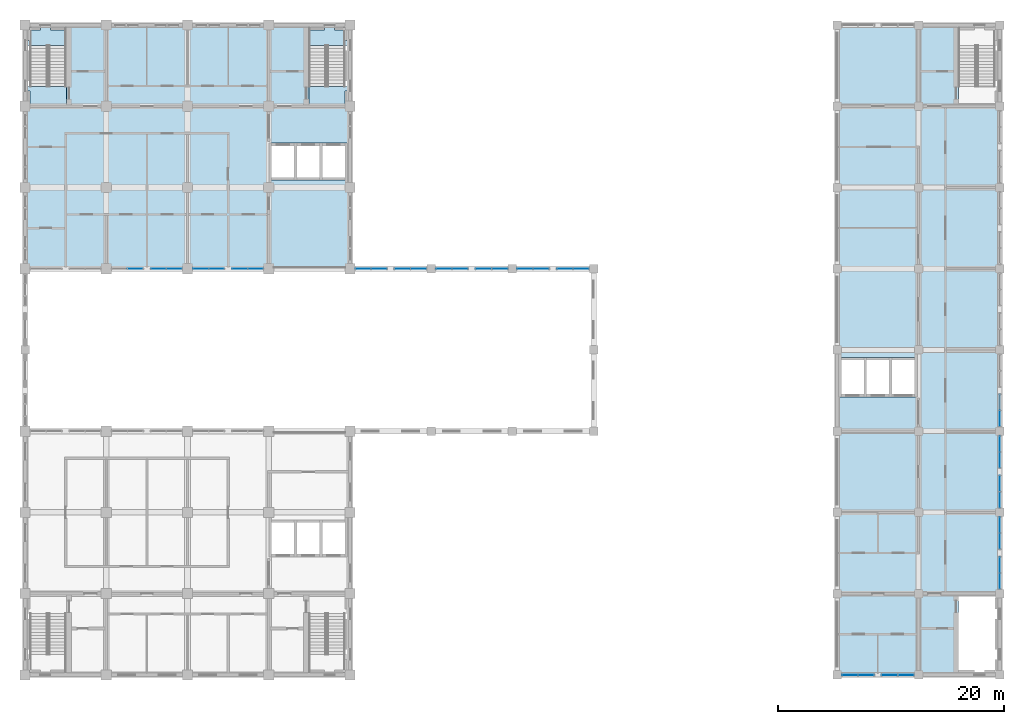
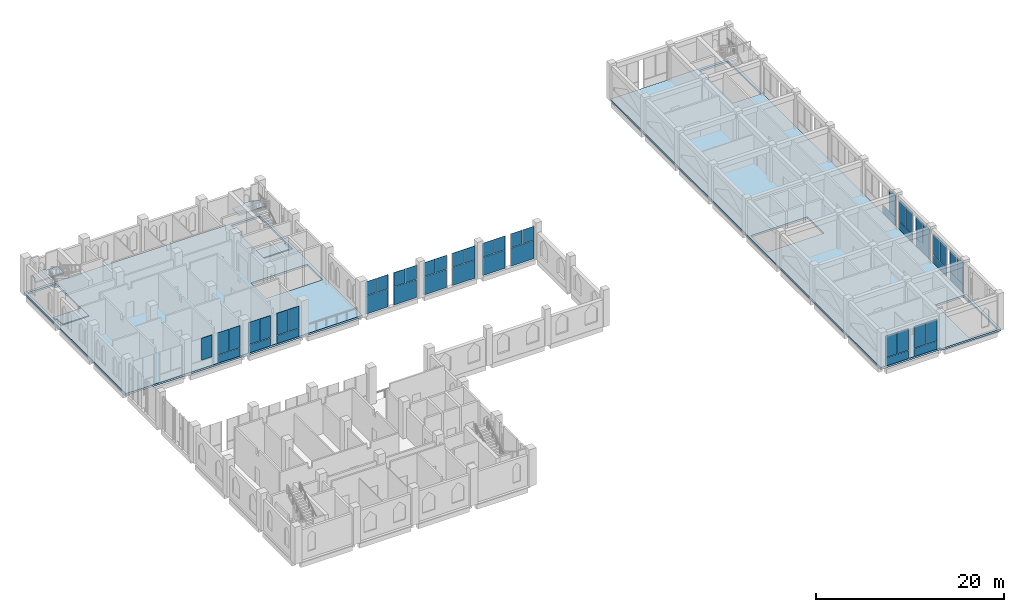
# One storey, part 25 of 39: 48 plates, 6 slabs, 19 elements without a shape of their own.
"""IFC4 building model written with IfcOpenShell, lengths in metres."""

from ifc_helpers import new_model, si_unit, direction, frame, origin, origin_2d, place, context, subcontext, project, spatial, polyline, rectangle, outline, extrude, material, layer, layer_set, type_object, element, aggregate, save


model = new_model("IFC4")

# Units and contexts
model_context = context("Model", 3, precision=1e-05, world=origin(), true_north=direction((0.0, 1.0)))
body_context = subcontext(model_context, "Body", "Model", "MODEL_VIEW")
ifc_project = project(units=[si_unit("LENGTHUNIT", "METRE"), si_unit("AREAUNIT", "SQUARE_METRE"), si_unit("VOLUMEUNIT", "CUBIC_METRE"), si_unit("PLANEANGLEUNIT", "RADIAN"), si_unit("MASSUNIT", "GRAM", prefix="KILO")], contexts=[model_context])

# Site, building, storey
site_placement = place(None, origin())
site = spatial("IfcSite", under=ifc_project, at=site_placement, CompositionType="ELEMENT")
building_placement = place(site_placement, origin())
building = spatial("IfcBuilding", under=site, at=building_placement, Name="Silangan Lancet Faculty of Sciences", CompositionType="ELEMENT")
storey_placement = place(building_placement, frame((0.0, 0.0, 26.39990234375)))
storey = spatial("IfcBuildingStorey", under=building, at=storey_placement, Name="L05", CompositionType="ELEMENT", Elevation=26.39990234375)

# Curtain wall, plates
ifc_material_1 = material(Name="Aluminium framed curtain wall with insulated glass", Category="aluminium")
curtain_wall_type_1 = type_object("IfcCurtainWallType", Name="CW1 Commons and east block glazing", PredefinedType="NOTDEFINED", material=ifc_material_1)
curtain_wall_1_placement = place(storey_placement, origin())
curtain_wall_1 = element("IfcCurtainWall", 1, at=curtain_wall_1_placement, inside=storey, type_object=curtain_wall_type_1, Name="CW1 East commons L05 bay 1", PredefinedType="NOTDEFINED")
ifc_material_2 = material(Name="Insulated glass unit 8+16+8 low-emissivity", Category="glass")
ifc_layer_1 = layer(ifc_material_2, 0.031982421875)
ifc_layer_set_1 = layer_set([ifc_layer_1], Name="Insulated glass unit 8+16+8 low-emissivity")
plate_type_1 = type_object("IfcPlateType", Name="CP1 Panel vision glass 32", PredefinedType="CURTAIN_PANEL", material=ifc_layer_set_1)
plate_1_placement = place(storey_placement, frame((86.39990234375, 8.3212890625, 1.10009765625), z_axis=(0.0, 0.0, 1.0), x_axis=(0.0, 1.0, 0.0)))
plate_1 = element("IfcPlate", 2, at=plate_1_placement, type_object=plate_type_1, Name="CW1 East commons L05 bay 1 panel 2", PredefinedType="CURTAIN_PANEL", context=body_context, shape_type="SweptSolid", body=[
    extrude(rectangle(XDim=1.37255859375, YDim=0.031982421875, at=origin_2d()), origin(), (0.0, 0.0, 1.0), 2.800048828125),
])
plate_2_placement = place(storey_placement, frame((86.39990234375, 9.753662109375, 1.10009765625), z_axis=(0.0, 0.0, 1.0), x_axis=(0.0, 1.0, 0.0)))
plate_2 = element("IfcPlate", 3, at=plate_2_placement, type_object=plate_type_1, Name="CW1 East commons L05 bay 1 panel 3", PredefinedType="CURTAIN_PANEL", context=body_context, shape_type="SweptSolid", body=[
    extrude(rectangle(XDim=1.37255859375, YDim=0.031982421875, at=origin_2d()), origin(), (0.0, 0.0, 1.0), 2.800048828125),
])

curtain_wall_2_placement = place(storey_placement, origin())
curtain_wall_2 = element("IfcCurtainWall", 4, at=curtain_wall_2_placement, inside=storey, type_object=curtain_wall_type_1, Name="CW1 East commons L05 bay 2", PredefinedType="NOTDEFINED")
plate_3_placement = place(storey_placement, frame((86.39990234375, 11.84619140625, 1.10009765625), z_axis=(0.0, 0.0, 1.0), x_axis=(0.0, 1.0, 0.0)))
plate_3 = element("IfcPlate", 5, at=plate_3_placement, type_object=plate_type_1, Name="CW1 East commons L05 bay 2 panel 2", PredefinedType="CURTAIN_PANEL", context=body_context, shape_type="SweptSolid", body=[
    extrude(rectangle(XDim=1.37255859375, YDim=0.031982421875, at=origin_2d()), origin(), (0.0, 0.0, 1.0), 2.800048828125),
])
plate_4_placement = place(storey_placement, frame((86.39990234375, 13.27880859375, 1.10009765625), z_axis=(0.0, 0.0, 1.0), x_axis=(0.0, 1.0, 0.0)))
plate_4 = element("IfcPlate", 6, at=plate_4_placement, type_object=plate_type_1, Name="CW1 East commons L05 bay 2 panel 3", PredefinedType="CURTAIN_PANEL", context=body_context, shape_type="SweptSolid", body=[
    extrude(rectangle(XDim=1.37255859375, YDim=0.031982421875, at=origin_2d()), origin(), (0.0, 0.0, 1.0), 2.800048828125),
])

curtain_wall_3_placement = place(storey_placement, origin())
curtain_wall_3 = element("IfcCurtainWall", 7, at=curtain_wall_3_placement, inside=storey, type_object=curtain_wall_type_1, Name="CW1 East commons L05 bay 3", PredefinedType="NOTDEFINED")
plate_5_placement = place(storey_placement, frame((86.39990234375, 15.521240234375, 1.10009765625), z_axis=(0.0, 0.0, 1.0), x_axis=(0.0, 1.0, 0.0)))
plate_5 = element("IfcPlate", 8, at=plate_5_placement, type_object=plate_type_1, Name="CW1 East commons L05 bay 3 panel 2", PredefinedType="CURTAIN_PANEL", context=body_context, shape_type="SweptSolid", body=[
    extrude(rectangle(XDim=1.37255859375, YDim=0.031982421875, at=origin_2d()), origin(), (0.0, 0.0, 1.0), 2.800048828125),
])
plate_6_placement = place(storey_placement, frame((86.39990234375, 16.953857421875, 1.10009765625), z_axis=(0.0, 0.0, 1.0), x_axis=(0.0, 1.0, 0.0)))
plate_6 = element("IfcPlate", 9, at=plate_6_placement, type_object=plate_type_1, Name="CW1 East commons L05 bay 3 panel 3", PredefinedType="CURTAIN_PANEL", context=body_context, shape_type="SweptSolid", body=[
    extrude(rectangle(XDim=1.37255859375, YDim=0.031982421875, at=origin_2d()), origin(), (0.0, 0.0, 1.0), 2.800048828125),
])

curtain_wall_4_placement = place(storey_placement, origin())
curtain_wall_4 = element("IfcCurtainWall", 10, at=curtain_wall_4_placement, inside=storey, type_object=curtain_wall_type_1, Name="CW1 East commons L05 bay 4", PredefinedType="NOTDEFINED")
plate_7_placement = place(storey_placement, frame((86.39990234375, 19.046142578125, 1.10009765625), z_axis=(0.0, 0.0, 1.0), x_axis=(0.0, 1.0, 0.0)))
plate_7 = element("IfcPlate", 11, at=plate_7_placement, type_object=plate_type_1, Name="CW1 East commons L05 bay 4 panel 2", PredefinedType="CURTAIN_PANEL", context=body_context, shape_type="SweptSolid", body=[
    extrude(rectangle(XDim=1.37255859375, YDim=0.031982421875, at=origin_2d()), origin(), (0.0, 0.0, 1.0), 2.800048828125),
])
plate_8_placement = place(storey_placement, frame((86.39990234375, 20.478759765625, 1.10009765625), z_axis=(0.0, 0.0, 1.0), x_axis=(0.0, 1.0, 0.0)))
plate_8 = element("IfcPlate", 12, at=plate_8_placement, type_object=plate_type_1, Name="CW1 East commons L05 bay 4 panel 3", PredefinedType="CURTAIN_PANEL", context=body_context, shape_type="SweptSolid", body=[
    extrude(rectangle(XDim=1.37255859375, YDim=0.031982421875, at=origin_2d()), origin(), (0.0, 0.0, 1.0), 2.800048828125),
])

# Curtain wall, plate
curtain_wall_5_placement = place(storey_placement, origin())
curtain_wall_5 = element("IfcCurtainWall", 13, at=curtain_wall_5_placement, inside=storey, type_object=curtain_wall_type_1, Name="CW1 East commons L05 bay 5", PredefinedType="NOTDEFINED")
plate_9_placement = place(storey_placement, frame((86.39990234375, 22.72119140625, 1.10009765625), z_axis=(0.0, 0.0, 1.0), x_axis=(0.0, 1.0, 0.0)))
plate_9 = element("IfcPlate", 14, at=plate_9_placement, type_object=plate_type_1, Name="CW1 East commons L05 bay 5 panel 2", PredefinedType="CURTAIN_PANEL", context=body_context, shape_type="SweptSolid", body=[
    extrude(rectangle(XDim=1.37255859375, YDim=0.031982421875, at=origin_2d()), origin(), (0.0, 0.0, 1.0), 2.800048828125),
])

# Curtain wall, plates
curtain_wall_6_placement = place(storey_placement, origin())
curtain_wall_6 = element("IfcCurtainWall", 15, at=curtain_wall_6_placement, inside=storey, type_object=curtain_wall_type_1, Name="CW1 East block south L05 bay 1", PredefinedType="NOTDEFINED")
plate_10_placement = place(storey_placement, frame((73.121337890625, 0.0, 1.10009765625), z_axis=(0.0, 0.0, 1.0), x_axis=(1.0, 0.0, 0.0)))
plate_10 = element("IfcPlate", 16, at=plate_10_placement, type_object=plate_type_1, Name="CW1 East block south L05 bay 1 panel 2", PredefinedType="CURTAIN_PANEL", context=body_context, shape_type="SweptSolid", body=[
    extrude(rectangle(XDim=1.37255859375, YDim=0.031982421875, at=origin_2d()), origin(), (0.0, 0.0, 1.0), 2.800048828125),
])
plate_11_placement = place(storey_placement, frame((74.5537109375, 0.0, 1.10009765625), z_axis=(0.0, 0.0, 1.0), x_axis=(1.0, 0.0, 0.0)))
plate_11 = element("IfcPlate", 17, at=plate_11_placement, type_object=plate_type_1, Name="CW1 East block south L05 bay 1 panel 3", PredefinedType="CURTAIN_PANEL", context=body_context, shape_type="SweptSolid", body=[
    extrude(rectangle(XDim=1.37255859375, YDim=0.031982421875, at=origin_2d()), origin(), (0.0, 0.0, 1.0), 2.800048828125),
])

curtain_wall_7_placement = place(storey_placement, origin())
curtain_wall_7 = element("IfcCurtainWall", 18, at=curtain_wall_7_placement, inside=storey, type_object=curtain_wall_type_1, Name="CW1 East block south L05 bay 2", PredefinedType="NOTDEFINED")
plate_12_placement = place(storey_placement, frame((76.646240234375, 0.0, 1.10009765625), z_axis=(0.0, 0.0, 1.0), x_axis=(1.0, 0.0, 0.0)))
plate_12 = element("IfcPlate", 19, at=plate_12_placement, type_object=plate_type_1, Name="CW1 East block south L05 bay 2 panel 2", PredefinedType="CURTAIN_PANEL", context=body_context, shape_type="SweptSolid", body=[
    extrude(rectangle(XDim=1.37255859375, YDim=0.031982421875, at=origin_2d()), origin(), (0.0, 0.0, 1.0), 2.800048828125),
])
plate_13_placement = place(storey_placement, frame((78.078857421875, 0.0, 1.10009765625), z_axis=(0.0, 0.0, 1.0), x_axis=(1.0, 0.0, 0.0)))
plate_13 = element("IfcPlate", 20, at=plate_13_placement, type_object=plate_type_1, Name="CW1 East block south L05 bay 2 panel 3", PredefinedType="CURTAIN_PANEL", context=body_context, shape_type="SweptSolid", body=[
    extrude(rectangle(XDim=1.37255859375, YDim=0.031982421875, at=origin_2d()), origin(), (0.0, 0.0, 1.0), 2.800048828125),
])

ifc_material_3 = material(Name="Aluminium framed curtain wall with insulated glass", Category="aluminium")
curtain_wall_type_2 = type_object("IfcCurtainWallType", Name="CW5 Nave north light glazing", PredefinedType="NOTDEFINED", material=ifc_material_3)
curtain_wall_8_placement = place(storey_placement, origin())
curtain_wall_8 = element("IfcCurtainWall", 21, at=curtain_wall_8_placement, inside=storey, type_object=curtain_wall_type_2, Name="CW5 Nave north lights L05 bay 1", PredefinedType="NOTDEFINED")
plate_14_placement = place(storey_placement, frame((48.5625, 36.0, 0.0), z_axis=(0.0, 0.0, 1.0), x_axis=(-1.0, 0.0, 0.0)))
plate_14 = element("IfcPlate", 22, at=plate_14_placement, type_object=plate_type_1, Name="CW5 Nave north lights L05 bay 1 panel 1", PredefinedType="CURTAIN_PANEL", context=body_context, shape_type="SweptSolid", body=[
    extrude(rectangle(XDim=2.804931640625, YDim=0.031982421875, at=origin_2d()), origin(), (0.0, 0.0, 1.0), 2.340087890625),
])
plate_15_placement = place(storey_placement, frame((49.27880859375, 36.0, 2.39990234375), z_axis=(0.0, 0.0, 1.0), x_axis=(-1.0, 0.0, 0.0)))
plate_15 = element("IfcPlate", 23, at=plate_15_placement, type_object=plate_type_1, Name="CW5 Nave north lights L05 bay 1 panel 2", PredefinedType="CURTAIN_PANEL", context=body_context, shape_type="SweptSolid", body=[
    extrude(rectangle(XDim=1.37255859375, YDim=0.031982421875, at=origin_2d()), origin(), (0.0, 0.0, 1.0), 1.800048828125),
])
plate_16_placement = place(storey_placement, frame((47.84619140625, 36.0, 2.39990234375), z_axis=(0.0, 0.0, 1.0), x_axis=(-1.0, 0.0, 0.0)))
plate_16 = element("IfcPlate", 24, at=plate_16_placement, type_object=plate_type_1, Name="CW5 Nave north lights L05 bay 1 panel 3", PredefinedType="CURTAIN_PANEL", context=body_context, shape_type="SweptSolid", body=[
    extrude(rectangle(XDim=1.37255859375, YDim=0.031982421875, at=origin_2d()), origin(), (0.0, 0.0, 1.0), 1.800048828125),
])
aggregate(curtain_wall_8, [plate_14, plate_15, plate_16])

curtain_wall_9_placement = place(storey_placement, origin())
curtain_wall_9 = element("IfcCurtainWall", 25, at=curtain_wall_9_placement, inside=storey, type_object=curtain_wall_type_2, Name="CW5 Nave north lights L05 bay 2", PredefinedType="NOTDEFINED")
plate_17_placement = place(storey_placement, frame((45.03759765625, 36.0, 0.0), z_axis=(0.0, 0.0, 1.0), x_axis=(-1.0, 0.0, 0.0)))
plate_17 = element("IfcPlate", 26, at=plate_17_placement, type_object=plate_type_1, Name="CW5 Nave north lights L05 bay 2 panel 1", PredefinedType="CURTAIN_PANEL", context=body_context, shape_type="SweptSolid", body=[
    extrude(rectangle(XDim=2.804931640625, YDim=0.031982421875, at=origin_2d()), origin(), (0.0, 0.0, 1.0), 2.340087890625),
])
plate_18_placement = place(storey_placement, frame((45.753662109375, 36.0, 2.39990234375), z_axis=(0.0, 0.0, 1.0), x_axis=(-1.0, 0.0, 0.0)))
plate_18 = element("IfcPlate", 27, at=plate_18_placement, type_object=plate_type_1, Name="CW5 Nave north lights L05 bay 2 panel 2", PredefinedType="CURTAIN_PANEL", context=body_context, shape_type="SweptSolid", body=[
    extrude(rectangle(XDim=1.37255859375, YDim=0.031982421875, at=origin_2d()), origin(), (0.0, 0.0, 1.0), 1.800048828125),
])
plate_19_placement = place(storey_placement, frame((44.3212890625, 36.0, 2.39990234375), z_axis=(0.0, 0.0, 1.0), x_axis=(-1.0, 0.0, 0.0)))
plate_19 = element("IfcPlate", 28, at=plate_19_placement, type_object=plate_type_1, Name="CW5 Nave north lights L05 bay 2 panel 3", PredefinedType="CURTAIN_PANEL", context=body_context, shape_type="SweptSolid", body=[
    extrude(rectangle(XDim=1.37255859375, YDim=0.031982421875, at=origin_2d()), origin(), (0.0, 0.0, 1.0), 1.800048828125),
])
aggregate(curtain_wall_9, [plate_17, plate_18, plate_19])

curtain_wall_10_placement = place(storey_placement, origin())
curtain_wall_10 = element("IfcCurtainWall", 29, at=curtain_wall_10_placement, inside=storey, type_object=curtain_wall_type_2, Name="CW5 Nave north lights L05 bay 3", PredefinedType="NOTDEFINED")
plate_20_placement = place(storey_placement, frame((41.362548828125, 36.0, 0.0), z_axis=(0.0, 0.0, 1.0), x_axis=(-1.0, 0.0, 0.0)))
plate_20 = element("IfcPlate", 30, at=plate_20_placement, type_object=plate_type_1, Name="CW5 Nave north lights L05 bay 3 panel 1", PredefinedType="CURTAIN_PANEL", context=body_context, shape_type="SweptSolid", body=[
    extrude(rectangle(XDim=2.804931640625, YDim=0.031982421875, at=origin_2d()), origin(), (0.0, 0.0, 1.0), 2.340087890625),
])
plate_21_placement = place(storey_placement, frame((42.078857421875, 36.0, 2.39990234375), z_axis=(0.0, 0.0, 1.0), x_axis=(-1.0, 0.0, 0.0)))
plate_21 = element("IfcPlate", 31, at=plate_21_placement, type_object=plate_type_1, Name="CW5 Nave north lights L05 bay 3 panel 2", PredefinedType="CURTAIN_PANEL", context=body_context, shape_type="SweptSolid", body=[
    extrude(rectangle(XDim=1.37255859375, YDim=0.031982421875, at=origin_2d()), origin(), (0.0, 0.0, 1.0), 1.800048828125),
])
plate_22_placement = place(storey_placement, frame((40.646240234375, 36.0, 2.39990234375), z_axis=(0.0, 0.0, 1.0), x_axis=(-1.0, 0.0, 0.0)))
plate_22 = element("IfcPlate", 32, at=plate_22_placement, type_object=plate_type_1, Name="CW5 Nave north lights L05 bay 3 panel 3", PredefinedType="CURTAIN_PANEL", context=body_context, shape_type="SweptSolid", body=[
    extrude(rectangle(XDim=1.37255859375, YDim=0.031982421875, at=origin_2d()), origin(), (0.0, 0.0, 1.0), 1.800048828125),
])
aggregate(curtain_wall_10, [plate_20, plate_21, plate_22])

curtain_wall_11_placement = place(storey_placement, origin())
curtain_wall_11 = element("IfcCurtainWall", 33, at=curtain_wall_11_placement, inside=storey, type_object=curtain_wall_type_2, Name="CW5 Nave north lights L05 bay 4", PredefinedType="NOTDEFINED")
plate_23_placement = place(storey_placement, frame((37.837646484375, 36.0, 0.0), z_axis=(0.0, 0.0, 1.0), x_axis=(-1.0, 0.0, 0.0)))
plate_23 = element("IfcPlate", 34, at=plate_23_placement, type_object=plate_type_1, Name="CW5 Nave north lights L05 bay 4 panel 1", PredefinedType="CURTAIN_PANEL", context=body_context, shape_type="SweptSolid", body=[
    extrude(rectangle(XDim=2.80517578125, YDim=0.031982421875, at=origin_2d()), origin(), (0.0, 0.0, 1.0), 2.340087890625),
])
plate_24_placement = place(storey_placement, frame((38.5537109375, 36.0, 2.39990234375), z_axis=(0.0, 0.0, 1.0), x_axis=(-1.0, 0.0, 0.0)))
plate_24 = element("IfcPlate", 35, at=plate_24_placement, type_object=plate_type_1, Name="CW5 Nave north lights L05 bay 4 panel 2", PredefinedType="CURTAIN_PANEL", context=body_context, shape_type="SweptSolid", body=[
    extrude(rectangle(XDim=1.37255859375, YDim=0.031982421875, at=origin_2d()), origin(), (0.0, 0.0, 1.0), 1.800048828125),
])
plate_25_placement = place(storey_placement, frame((37.121337890625, 36.0, 2.39990234375), z_axis=(0.0, 0.0, 1.0), x_axis=(-1.0, 0.0, 0.0)))
plate_25 = element("IfcPlate", 36, at=plate_25_placement, type_object=plate_type_1, Name="CW5 Nave north lights L05 bay 4 panel 3", PredefinedType="CURTAIN_PANEL", context=body_context, shape_type="SweptSolid", body=[
    extrude(rectangle(XDim=1.37255859375, YDim=0.031982421875, at=origin_2d()), origin(), (0.0, 0.0, 1.0), 1.800048828125),
])
aggregate(curtain_wall_11, [plate_23, plate_24, plate_25])

curtain_wall_12_placement = place(storey_placement, origin())
curtain_wall_12 = element("IfcCurtainWall", 37, at=curtain_wall_12_placement, inside=storey, type_object=curtain_wall_type_2, Name="CW5 Nave north lights L05 bay 5", PredefinedType="NOTDEFINED")
plate_26_placement = place(storey_placement, frame((34.162353515625, 36.0, 0.0), z_axis=(0.0, 0.0, 1.0), x_axis=(-1.0, 0.0, 0.0)))
plate_26 = element("IfcPlate", 38, at=plate_26_placement, type_object=plate_type_1, Name="CW5 Nave north lights L05 bay 5 panel 1", PredefinedType="CURTAIN_PANEL", context=body_context, shape_type="SweptSolid", body=[
    extrude(rectangle(XDim=2.80517578125, YDim=0.031982421875, at=origin_2d()), origin(), (0.0, 0.0, 1.0), 2.340087890625),
])
plate_27_placement = place(storey_placement, frame((34.878662109375, 36.0, 2.39990234375), z_axis=(0.0, 0.0, 1.0), x_axis=(-1.0, 0.0, 0.0)))
plate_27 = element("IfcPlate", 39, at=plate_27_placement, type_object=plate_type_1, Name="CW5 Nave north lights L05 bay 5 panel 2", PredefinedType="CURTAIN_PANEL", context=body_context, shape_type="SweptSolid", body=[
    extrude(rectangle(XDim=1.37255859375, YDim=0.031982421875, at=origin_2d()), origin(), (0.0, 0.0, 1.0), 1.800048828125),
])
plate_28_placement = place(storey_placement, frame((33.4462890625, 36.0, 2.39990234375), z_axis=(0.0, 0.0, 1.0), x_axis=(-1.0, 0.0, 0.0)))
plate_28 = element("IfcPlate", 40, at=plate_28_placement, type_object=plate_type_1, Name="CW5 Nave north lights L05 bay 5 panel 3", PredefinedType="CURTAIN_PANEL", context=body_context, shape_type="SweptSolid", body=[
    extrude(rectangle(XDim=1.37255859375, YDim=0.031982421875, at=origin_2d()), origin(), (0.0, 0.0, 1.0), 1.800048828125),
])
aggregate(curtain_wall_12, [plate_26, plate_27, plate_28])

curtain_wall_13_placement = place(storey_placement, origin())
curtain_wall_13 = element("IfcCurtainWall", 41, at=curtain_wall_13_placement, inside=storey, type_object=curtain_wall_type_2, Name="CW5 Nave north lights L05 bay 6", PredefinedType="NOTDEFINED")
plate_29_placement = place(storey_placement, frame((30.675048828125, 36.0, 0.0), z_axis=(0.0, 0.0, 1.0), x_axis=(-1.0, 0.0, 0.0)))
plate_29 = element("IfcPlate", 42, at=plate_29_placement, type_object=plate_type_1, Name="CW5 Nave north lights L05 bay 6 panel 1", PredefinedType="CURTAIN_PANEL", context=body_context, shape_type="SweptSolid", body=[
    extrude(rectangle(XDim=2.72998046875, YDim=0.031982421875, at=origin_2d()), origin(), (0.0, 0.0, 1.0), 2.340087890625),
])
plate_30_placement = place(storey_placement, frame((31.372314453125, 36.0, 2.39990234375), z_axis=(0.0, 0.0, 1.0), x_axis=(-1.0, 0.0, 0.0)))
plate_30 = element("IfcPlate", 43, at=plate_30_placement, type_object=plate_type_1, Name="CW5 Nave north lights L05 bay 6 panel 2", PredefinedType="CURTAIN_PANEL", context=body_context, shape_type="SweptSolid", body=[
    extrude(rectangle(XDim=1.3349609375, YDim=0.031982421875, at=origin_2d()), origin(), (0.0, 0.0, 1.0), 1.800048828125),
])
plate_31_placement = place(storey_placement, frame((29.9775390625, 36.0, 2.39990234375), z_axis=(0.0, 0.0, 1.0), x_axis=(-1.0, 0.0, 0.0)))
plate_31 = element("IfcPlate", 44, at=plate_31_placement, type_object=plate_type_1, Name="CW5 Nave north lights L05 bay 6 panel 3", PredefinedType="CURTAIN_PANEL", context=body_context, shape_type="SweptSolid", body=[
    extrude(rectangle(XDim=1.3349609375, YDim=0.031982421875, at=origin_2d()), origin(), (0.0, 0.0, 1.0), 1.800048828125),
])
aggregate(curtain_wall_13, [plate_29, plate_30, plate_31])

# Plate
ifc_material_4 = material(Name="Laminated insulated glass unit 10.76+14+8", Category="glass")
ifc_layer_2 = layer(ifc_material_4, 0.035888671875)
ifc_layer_set_2 = layer_set([ifc_layer_2], Name="Laminated insulated glass unit 10.76+14+8")
plate_type_2 = type_object("IfcPlateType", Name="CP2 Panel laminated glass 36", PredefinedType="CURTAIN_PANEL", material=ifc_layer_set_2)
plate_32_placement = place(storey_placement, frame((86.39990234375, 9.03759765625, 0.0), z_axis=(0.0, 0.0, 1.0), x_axis=(0.0, 1.0, 0.0)))
plate_32 = element("IfcPlate", 45, at=plate_32_placement, type_object=plate_type_2, Name="CW1 East commons L05 bay 1 panel 1", PredefinedType="CURTAIN_PANEL", context=body_context, shape_type="SweptSolid", body=[
    extrude(rectangle(XDim=2.804931640625, YDim=0.035888671875, at=origin_2d()), origin(), (0.0, 0.0, 1.0), 1.0400390625),
])

aggregate(curtain_wall_1, [plate_32, plate_1, plate_2])

plate_33_placement = place(storey_placement, frame((86.39990234375, 12.5625, 0.0), z_axis=(0.0, 0.0, 1.0), x_axis=(0.0, 1.0, 0.0)))
plate_33 = element("IfcPlate", 46, at=plate_33_placement, type_object=plate_type_2, Name="CW1 East commons L05 bay 2 panel 1", PredefinedType="CURTAIN_PANEL", context=body_context, shape_type="SweptSolid", body=[
    extrude(rectangle(XDim=2.804931640625, YDim=0.035888671875, at=origin_2d()), origin(), (0.0, 0.0, 1.0), 1.0400390625),
])

aggregate(curtain_wall_2, [plate_33, plate_3, plate_4])

plate_34_placement = place(storey_placement, frame((86.39990234375, 16.237548828125, 0.0), z_axis=(0.0, 0.0, 1.0), x_axis=(0.0, 1.0, 0.0)))
plate_34 = element("IfcPlate", 47, at=plate_34_placement, type_object=plate_type_2, Name="CW1 East commons L05 bay 3 panel 1", PredefinedType="CURTAIN_PANEL", context=body_context, shape_type="SweptSolid", body=[
    extrude(rectangle(XDim=2.804931640625, YDim=0.035888671875, at=origin_2d()), origin(), (0.0, 0.0, 1.0), 1.0400390625),
])

aggregate(curtain_wall_3, [plate_34, plate_5, plate_6])

plate_35_placement = place(storey_placement, frame((86.39990234375, 19.762451171875, 0.0), z_axis=(0.0, 0.0, 1.0), x_axis=(0.0, 1.0, 0.0)))
plate_35 = element("IfcPlate", 48, at=plate_35_placement, type_object=plate_type_2, Name="CW1 East commons L05 bay 4 panel 1", PredefinedType="CURTAIN_PANEL", context=body_context, shape_type="SweptSolid", body=[
    extrude(rectangle(XDim=2.804931640625, YDim=0.035888671875, at=origin_2d()), origin(), (0.0, 0.0, 1.0), 1.0400390625),
])

aggregate(curtain_wall_4, [plate_35, plate_7, plate_8])

plate_36_placement = place(storey_placement, frame((86.39990234375, 23.4375, 0.0), z_axis=(0.0, 0.0, 1.0), x_axis=(0.0, 1.0, 0.0)))
plate_36 = element("IfcPlate", 49, at=plate_36_placement, type_object=plate_type_2, Name="CW1 East commons L05 bay 5 panel 1", PredefinedType="CURTAIN_PANEL", context=body_context, shape_type="SweptSolid", body=[
    extrude(rectangle(XDim=2.804931640625, YDim=0.035888671875, at=origin_2d()), origin(), (0.0, 0.0, 1.0), 1.0400390625),
])

aggregate(curtain_wall_5, [plate_36, plate_9])

plate_37_placement = place(storey_placement, frame((73.837646484375, 0.0, 0.0), z_axis=(0.0, 0.0, 1.0), x_axis=(1.0, 0.0, 0.0)))
plate_37 = element("IfcPlate", 50, at=plate_37_placement, type_object=plate_type_2, Name="CW1 East block south L05 bay 1 panel 1", PredefinedType="CURTAIN_PANEL", context=body_context, shape_type="SweptSolid", body=[
    extrude(rectangle(XDim=2.80517578125, YDim=0.035888671875, at=origin_2d()), origin(), (0.0, 0.0, 1.0), 1.0400390625),
])

aggregate(curtain_wall_6, [plate_37, plate_10, plate_11])

plate_38_placement = place(storey_placement, frame((77.362548828125, 0.0, 0.0), z_axis=(0.0, 0.0, 1.0), x_axis=(1.0, 0.0, 0.0)))
plate_38 = element("IfcPlate", 51, at=plate_38_placement, type_object=plate_type_2, Name="CW1 East block south L05 bay 2 panel 1", PredefinedType="CURTAIN_PANEL", context=body_context, shape_type="SweptSolid", body=[
    extrude(rectangle(XDim=2.804931640625, YDim=0.035888671875, at=origin_2d()), origin(), (0.0, 0.0, 1.0), 1.0400390625),
])

aggregate(curtain_wall_7, [plate_38, plate_12, plate_13])

# Curtain wall, plate
ifc_material_5 = material(Name="Aluminium framed curtain wall with insulated glass", Category="aluminium")
curtain_wall_type_3 = type_object("IfcCurtainWallType", Name="CW2 Atrium fire-resisting screen", PredefinedType="NOTDEFINED", material=ifc_material_5)
curtain_wall_14_placement = place(storey_placement, origin())
curtain_wall_14 = element("IfcCurtainWall", 52, at=curtain_wall_14_placement, inside=storey, type_object=curtain_wall_type_3, Name="CW2 Atrium north L05 bay 3", PredefinedType="NOTDEFINED")
ifc_material_6 = material(Name="Fire-resisting glass unit 40 mm, integrity E", Category="glass")
ifc_layer_3 = layer(ifc_material_6, 0.0400390625)
ifc_layer_set_3 = layer_set([ifc_layer_3], Name="Fire-resisting glass unit 40 mm, integrity E")
plate_type_3 = type_object("IfcPlateType", Name="CP3 Panel fire-resisting glass 40", PredefinedType="CURTAIN_PANEL", material=ifc_layer_set_3)
plate_39_placement = place(storey_placement, frame((9.768798828125, 36.0, 1.10009765625), z_axis=(0.0, 0.0, 1.0), x_axis=(1.0, 0.0, 0.0)))
plate_39 = element("IfcPlate", 53, at=plate_39_placement, type_object=plate_type_3, Name="CW2 Atrium north L05 bay 3 panel 3", PredefinedType="CURTAIN_PANEL", context=body_context, shape_type="SweptSolid", body=[
    extrude(rectangle(XDim=1.3125, YDim=0.0400390625, at=origin_2d()), origin(), (0.0, 0.0, 1.0), 2.85009765625),
])
aggregate(curtain_wall_14, [plate_39])

# Curtain wall, plates
curtain_wall_15_placement = place(storey_placement, origin())
curtain_wall_15 = element("IfcCurtainWall", 54, at=curtain_wall_15_placement, inside=storey, type_object=curtain_wall_type_3, Name="CW2 Atrium north L05 bay 4", PredefinedType="NOTDEFINED")
plate_40_placement = place(storey_placement, frame((12.52490234375, 36.0, 0.000244140625), z_axis=(0.0, 0.0, 1.0), x_axis=(1.0, 0.0, 0.0)))
plate_40 = element("IfcPlate", 55, at=plate_40_placement, type_object=plate_type_3, Name="CW2 Atrium north L05 bay 4 panel 1", PredefinedType="CURTAIN_PANEL", context=body_context, shape_type="SweptSolid", body=[
    extrude(rectangle(XDim=2.699951171875, YDim=0.0400390625, at=origin_2d()), origin(), (0.0, 0.0, 1.0), 1.02490234375),
])
plate_41_placement = place(storey_placement, frame((11.831298828125, 36.0, 1.10009765625), z_axis=(0.0, 0.0, 1.0), x_axis=(1.0, 0.0, 0.0)))
plate_41 = element("IfcPlate", 56, at=plate_41_placement, type_object=plate_type_3, Name="CW2 Atrium north L05 bay 4 panel 2", PredefinedType="CURTAIN_PANEL", context=body_context, shape_type="SweptSolid", body=[
    extrude(rectangle(XDim=1.3125, YDim=0.0400390625, at=origin_2d()), origin(), (0.0, 0.0, 1.0), 2.85009765625),
])
plate_42_placement = place(storey_placement, frame((13.21875, 36.0, 1.10009765625), z_axis=(0.0, 0.0, 1.0), x_axis=(1.0, 0.0, 0.0)))
plate_42 = element("IfcPlate", 57, at=plate_42_placement, type_object=plate_type_3, Name="CW2 Atrium north L05 bay 4 panel 3", PredefinedType="CURTAIN_PANEL", context=body_context, shape_type="SweptSolid", body=[
    extrude(rectangle(XDim=1.3125, YDim=0.0400390625, at=origin_2d()), origin(), (0.0, 0.0, 1.0), 2.85009765625),
])
aggregate(curtain_wall_15, [plate_40, plate_41, plate_42])

curtain_wall_16_placement = place(storey_placement, origin())
curtain_wall_16 = element("IfcCurtainWall", 58, at=curtain_wall_16_placement, inside=storey, type_object=curtain_wall_type_3, Name="CW2 Atrium north L05 bay 5", PredefinedType="NOTDEFINED")
plate_43_placement = place(storey_placement, frame((16.27490234375, 36.0, 0.000244140625), z_axis=(0.0, 0.0, 1.0), x_axis=(1.0, 0.0, 0.0)))
plate_43 = element("IfcPlate", 59, at=plate_43_placement, type_object=plate_type_3, Name="CW2 Atrium north L05 bay 5 panel 1", PredefinedType="CURTAIN_PANEL", context=body_context, shape_type="SweptSolid", body=[
    extrude(rectangle(XDim=2.699951171875, YDim=0.0400390625, at=origin_2d()), origin(), (0.0, 0.0, 1.0), 1.02490234375),
])
plate_44_placement = place(storey_placement, frame((15.581298828125, 36.0, 1.10009765625), z_axis=(0.0, 0.0, 1.0), x_axis=(1.0, 0.0, 0.0)))
plate_44 = element("IfcPlate", 60, at=plate_44_placement, type_object=plate_type_3, Name="CW2 Atrium north L05 bay 5 panel 2", PredefinedType="CURTAIN_PANEL", context=body_context, shape_type="SweptSolid", body=[
    extrude(rectangle(XDim=1.3125, YDim=0.0400390625, at=origin_2d()), origin(), (0.0, 0.0, 1.0), 2.85009765625),
])
plate_45_placement = place(storey_placement, frame((16.96875, 36.0, 1.10009765625), z_axis=(0.0, 0.0, 1.0), x_axis=(1.0, 0.0, 0.0)))
plate_45 = element("IfcPlate", 61, at=plate_45_placement, type_object=plate_type_3, Name="CW2 Atrium north L05 bay 5 panel 3", PredefinedType="CURTAIN_PANEL", context=body_context, shape_type="SweptSolid", body=[
    extrude(rectangle(XDim=1.3125, YDim=0.0400390625, at=origin_2d()), origin(), (0.0, 0.0, 1.0), 2.85009765625),
])
aggregate(curtain_wall_16, [plate_43, plate_44, plate_45])

curtain_wall_17_placement = place(storey_placement, origin())
curtain_wall_17 = element("IfcCurtainWall", 62, at=curtain_wall_17_placement, inside=storey, type_object=curtain_wall_type_3, Name="CW2 Atrium north L05 bay 6", PredefinedType="NOTDEFINED")
plate_46_placement = place(storey_placement, frame((19.72509765625, 36.0, 0.000244140625), z_axis=(0.0, 0.0, 1.0), x_axis=(1.0, 0.0, 0.0)))
plate_46 = element("IfcPlate", 63, at=plate_46_placement, type_object=plate_type_3, Name="CW2 Atrium north L05 bay 6 panel 1", PredefinedType="CURTAIN_PANEL", context=body_context, shape_type="SweptSolid", body=[
    extrude(rectangle(XDim=2.699951171875, YDim=0.0400390625, at=origin_2d()), origin(), (0.0, 0.0, 1.0), 1.02490234375),
])
plate_47_placement = place(storey_placement, frame((19.03125, 36.0, 1.10009765625), z_axis=(0.0, 0.0, 1.0), x_axis=(1.0, 0.0, 0.0)))
plate_47 = element("IfcPlate", 64, at=plate_47_placement, type_object=plate_type_3, Name="CW2 Atrium north L05 bay 6 panel 2", PredefinedType="CURTAIN_PANEL", context=body_context, shape_type="SweptSolid", body=[
    extrude(rectangle(XDim=1.3125, YDim=0.0400390625, at=origin_2d()), origin(), (0.0, 0.0, 1.0), 2.85009765625),
])
plate_48_placement = place(storey_placement, frame((20.418701171875, 36.0, 1.10009765625), z_axis=(0.0, 0.0, 1.0), x_axis=(1.0, 0.0, 0.0)))
plate_48 = element("IfcPlate", 65, at=plate_48_placement, type_object=plate_type_3, Name="CW2 Atrium north L05 bay 6 panel 3", PredefinedType="CURTAIN_PANEL", context=body_context, shape_type="SweptSolid", body=[
    extrude(rectangle(XDim=1.3125, YDim=0.0400390625, at=origin_2d()), origin(), (0.0, 0.0, 1.0), 2.85009765625),
])
aggregate(curtain_wall_17, [plate_46, plate_47, plate_48])

# Slabs
ifc_material_7 = material(Name="Concrete C35/45", Category="concrete")
ifc_layer_4 = layer(ifc_material_7, 0.25)
ifc_layer_set_4 = layer_set([ifc_layer_4], Name="Concrete C35/45")
slab_type_1 = type_object("IfcSlabType", Name="SLAB FLOOR 250", PredefinedType="FLOOR", material=ifc_layer_set_4)
slab_1_placement = place(storey_placement, frame((0.0, 0.0, -0.25)))
element("IfcSlab", 66, at=slab_1_placement, inside=storey, type_object=slab_type_1, Name="SLAB-L05-NT", PredefinedType="FLOOR", context=body_context, shape_type="SweptSolid", body=[
    extrude(outline(polyline([(-0.14990234375, 36.0), (28.949951171875, 36.0), (28.949951171875, 57.75), (-0.14990234375, 57.75), (-0.14990234375, 36.0)]), holes=[polyline([(21.60009765625, 43.85009765625), (21.60009765625, 47.14990234375), (28.60009765625, 47.14990234375), (28.60009765625, 43.85009765625), (21.60009765625, 43.85009765625)]), polyline([(0.14990234375, 50.39990234375), (0.14990234375, 57.449951171875), (3.64990234375, 57.449951171875), (3.64990234375, 50.39990234375), (0.14990234375, 50.39990234375)]), polyline([(25.14990234375, 57.449951171875), (28.64990234375, 57.449951171875), (28.64990234375, 50.39990234375), (25.14990234375, 50.39990234375), (25.14990234375, 57.449951171875)])]), origin(), (0.0, 0.0, 1.0), 0.25),
])
slab_2_placement = place(storey_placement, frame((0.0, 0.0, -0.25)))
element("IfcSlab", 67, at=slab_2_placement, inside=storey, type_object=slab_type_1, Name="SLAB-L05-EB", PredefinedType="FLOOR", context=body_context, shape_type="SweptSolid", body=[
    extrude(outline(polyline([(86.550048828125, 7.199951171875), (86.39990234375, 7.199951171875), (86.39990234375, 50.39990234375), (86.550048828125, 50.39990234375), (86.550048828125, 57.75), (79.199951171875, 57.75), (79.199951171875, 57.60009765625), (71.85009765625, 57.60009765625), (71.85009765625, 0.0), (79.199951171875, 0.0), (79.199951171875, -0.14990234375), (86.550048828125, -0.14990234375), (86.550048828125, 7.199951171875)]), holes=[polyline([(82.75, 7.199951171875), (86.25, 7.199951171875), (86.25, 0.14990234375), (82.75, 0.14990234375), (82.75, 7.199951171875)]), polyline([(79.10009765625, 28.14990234375), (79.10009765625, 24.64990234375), (72.10009765625, 24.64990234375), (72.10009765625, 28.14990234375), (79.10009765625, 28.14990234375)]), polyline([(82.75, 57.449951171875), (86.25, 57.449951171875), (86.25, 50.39990234375), (82.75, 50.39990234375), (82.75, 57.449951171875)])]), origin(), (0.0, 0.0, 1.0), 0.25),
])

# Stair, slabs
ifc_material_8 = material(Name="Concrete C40/50", Category="concrete")
stair_type = type_object("IfcStairType", Name="TURRET STAIR 1550 TWO-FLIGHT", PredefinedType="HALF_TURN_STAIR", material=ifc_material_8)
stair_1_placement = place(storey_placement, origin())
stair_1 = element("IfcStair", 68, at=stair_1_placement, inside=storey, type_object=stair_type, Name="NT-A stair L05", PredefinedType="HALF_TURN_STAIR")
ifc_material_9 = material(Name="Concrete C40/50", Category="concrete")
ifc_layer_5 = layer(ifc_material_9, 0.179931640625)
ifc_layer_set_5 = layer_set([ifc_layer_5], Name="Concrete C40/50")
slab_type_2 = type_object("IfcSlabType", Name="TURRET STAIR LANDING RC 180", PredefinedType="LANDING", material=ifc_layer_set_5)
slab_3_placement = place(storey_placement, frame((0.0, 0.0, -0.179931640625)))
slab_3 = element("IfcSlab", 69, at=slab_3_placement, type_object=slab_type_2, Name="STR3 landing 1", PredefinedType="LANDING", context=body_context, shape_type="SweptSolid", body=[
    extrude(outline(polyline([(0.22509765625, 52.14990234375), (3.64990234375, 52.14990234375), (3.64990234375, 50.52490234375), (0.449951171875, 50.52490234375), (0.449951171875, 51.75), (0.22509765625, 51.75), (0.22509765625, 52.14990234375)])), origin(), (0.0, 0.0, 1.0), 0.179931640625),
])
slab_4_placement = place(storey_placement, frame((0.0, 0.0, 2.22021484375)))
slab_4 = element("IfcSlab", 70, at=slab_4_placement, type_object=slab_type_2, Name="STR3 landing 2", PredefinedType="LANDING", context=body_context, shape_type="SweptSolid", body=[
    extrude(outline(polyline([(0.449951171875, 57.14990234375), (1.35009765625, 57.14990234375), (1.35009765625, 57.375), (2.25, 57.375), (2.25, 57.14990234375), (3.64990234375, 57.14990234375), (3.64990234375, 55.7900390625), (0.22509765625, 55.7900390625), (0.22509765625, 56.25), (0.449951171875, 56.25), (0.449951171875, 57.14990234375)])), origin(), (0.0, 0.0, 1.0), 0.179931640625),
])
aggregate(stair_1, [slab_3, slab_4])

stair_2_placement = place(storey_placement, origin())
stair_2 = element("IfcStair", 71, at=stair_2_placement, inside=storey, type_object=stair_type, Name="NT-B stair L05", PredefinedType="HALF_TURN_STAIR")
slab_5_placement = place(storey_placement, frame((0.0, 0.0, -0.179931640625)))
slab_5 = element("IfcSlab", 72, at=slab_5_placement, type_object=slab_type_2, Name="STR4 landing 1", PredefinedType="LANDING", context=body_context, shape_type="SweptSolid", body=[
    extrude(outline(polyline([(28.35009765625, 50.52490234375), (25.14990234375, 50.52490234375), (25.14990234375, 52.14990234375), (28.574951171875, 52.14990234375), (28.574951171875, 51.75), (28.35009765625, 51.75), (28.35009765625, 50.52490234375)])), origin(), (0.0, 0.0, 1.0), 0.179931640625),
])
slab_6_placement = place(storey_placement, frame((0.0, 0.0, 2.22021484375)))
slab_6 = element("IfcSlab", 73, at=slab_6_placement, type_object=slab_type_2, Name="STR4 landing 2", PredefinedType="LANDING", context=body_context, shape_type="SweptSolid", body=[
    extrude(outline(polyline([(28.35009765625, 56.25), (28.574951171875, 56.25), (28.574951171875, 55.7900390625), (25.14990234375, 55.7900390625), (25.14990234375, 57.14990234375), (26.550048828125, 57.14990234375), (26.550048828125, 57.375), (27.449951171875, 57.375), (27.449951171875, 57.14990234375), (28.35009765625, 57.14990234375), (28.35009765625, 56.25)])), origin(), (0.0, 0.0, 1.0), 0.179931640625),
])
aggregate(stair_2, [slab_5, slab_6])

save(model, "model.ifc")
